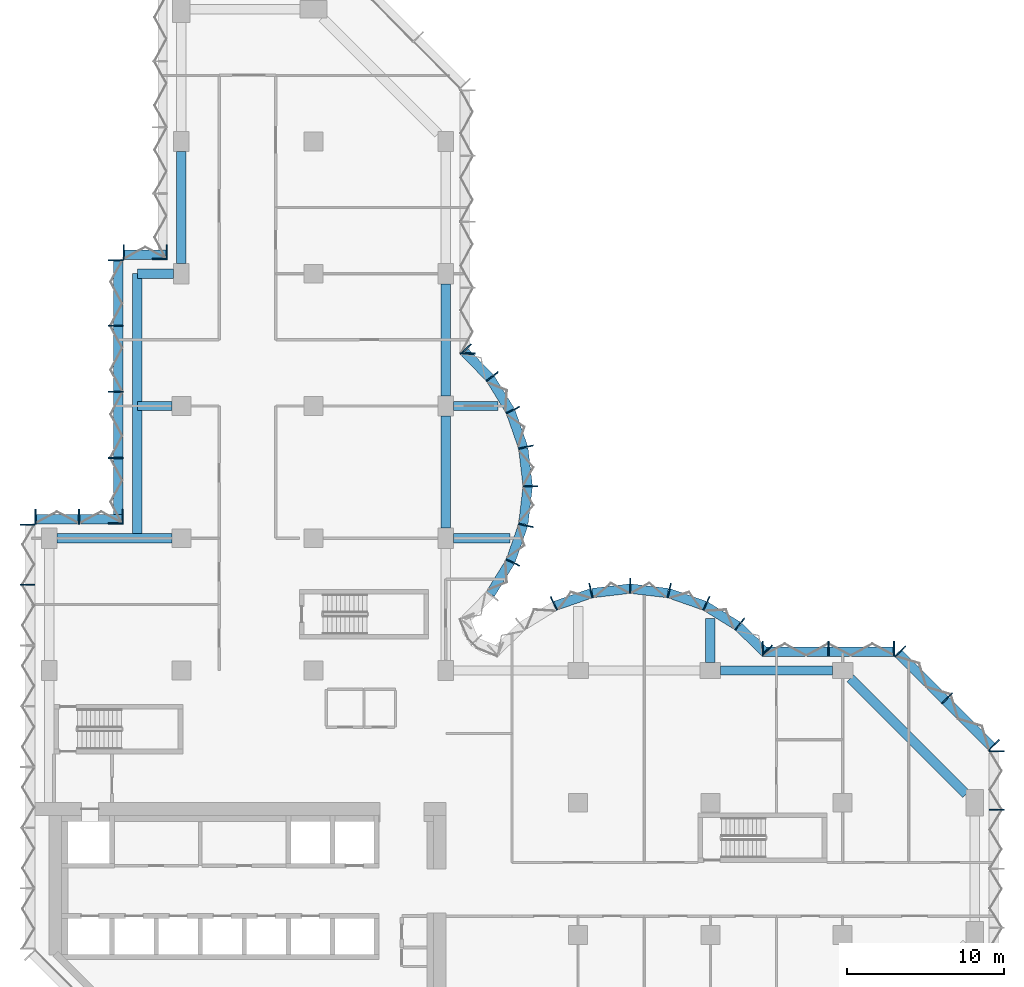
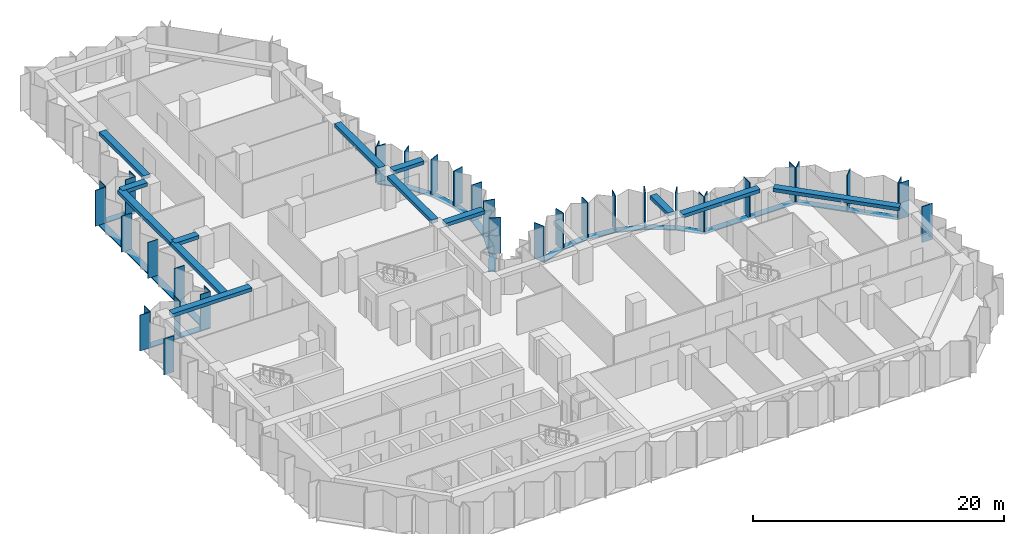
# One storey, part 2 of 11: 54 members, 13 beams, 11 elements without a shape of their own.
"""IFC4 building model written with IfcOpenShell, lengths in metres."""

from ifc_helpers import new_model, si_unit, direction, frame, origin, origin_2d, place, context, subcontext, project, spatial, rectangle, extrude, material, material_profile, profile_set, type_object, element, aggregate, save


model = new_model("IFC4")

# Units and contexts
model_context = context("Model", 3, precision=1e-05, world=origin(), true_north=direction((0.0, 1.0)))
body_context = subcontext(model_context, "Body", "Model", "MODEL_VIEW")
ifc_project = project(units=[si_unit("LENGTHUNIT", "METRE"), si_unit("AREAUNIT", "SQUARE_METRE"), si_unit("VOLUMEUNIT", "CUBIC_METRE"), si_unit("PLANEANGLEUNIT", "RADIAN"), si_unit("MASSUNIT", "GRAM", prefix="KILO")], contexts=[model_context])

# Site, building, storey
site_placement = place(None, origin())
site = spatial("IfcSite", under=ifc_project, at=site_placement, CompositionType="ELEMENT")
building_placement = place(site_placement, origin())
building = spatial("IfcBuilding", under=site, at=building_placement, Name="Brevane Broadcast Tower", CompositionType="ELEMENT")
storey_placement = place(building_placement, frame((0.0, 0.0, 149.300048828125)))
storey = spatial("IfcBuildingStorey", under=building, at=storey_placement, Name="L37", CompositionType="ELEMENT", Elevation=149.300048828125)

# Curtain wall, members
ifc_material_1 = material(Name="Aluminium 6063-T6 bronze anodised", Category="aluminium")
curtain_wall_type = type_object("IfcCurtainWallType", Name="CW-1 curtain wall", PredefinedType="NOTDEFINED", material=ifc_material_1)
curtain_wall_1_placement = place(storey_placement, origin())
curtain_wall_1 = element("IfcCurtainWall", 1, at=curtain_wall_1_placement, inside=storey, type_object=curtain_wall_type, Name="CW-1 typical tilted unit L37 east end", PredefinedType="NOTDEFINED")
ifc_material_profile_1 = material_profile(ifc_material_1, rectangle(XDim=0.949951171875, YDim=0.070068359375, at=origin_2d()), Name="RECT 70x950")
ifc_profile_set_1 = profile_set([ifc_material_profile_1], Name="Aluminium 6063-T6 bronze anodised")
member_type_1 = type_object("IfcMemberType", Name="CW-1 mullion 70x950", PredefinedType="MULLION", material=ifc_profile_set_1)
member_1_placement = place(storey_placement, frame((60.175048828125, 16.35009765625, -0.150146484375), z_axis=(0.0, 0.0, 1.0), x_axis=(-1.0, 0.0, 0.0)))
member_1 = element("IfcMember", 2, at=member_1_placement, type_object=member_type_1, Name="CW-1 mullion", PredefinedType="MULLION", context=body_context, shape_type="SweptSolid", body=[
    extrude(rectangle(XDim=0.949951171875, YDim=0.070068359375, at=origin_2d()), origin(), (0.0, 0.0, 1.0), 3.5),
])
member_2_placement = place(storey_placement, frame((60.175048828125, 20.06494140625, -0.150146484375), z_axis=(0.0, 0.0, 1.0), x_axis=(-1.0, 0.0, 0.0)))
member_2 = element("IfcMember", 3, at=member_2_placement, type_object=member_type_1, Name="CW-1 mullion", PredefinedType="MULLION", context=body_context, shape_type="SweptSolid", body=[
    extrude(rectangle(XDim=0.949951171875, YDim=0.070068359375, at=origin_2d()), origin(), (0.0, 0.0, 1.0), 3.5),
])
aggregate(curtain_wall_1, [member_1, member_2])

curtain_wall_2_placement = place(storey_placement, origin())
curtain_wall_2 = element("IfcCurtainWall", 4, at=curtain_wall_2_placement, inside=storey, type_object=curtain_wall_type, Name="CW-1 typical tilted unit L37 north-east chamfer", PredefinedType="NOTDEFINED")
member_3_placement = place(storey_placement, frame((60.01123046875, 20.460693359375, -0.150146484375), z_axis=(0.0, 0.0, 1.0), x_axis=(-0.707106781187, -0.707106781187, 0.0)))
member_3 = element("IfcMember", 5, at=member_3_placement, type_object=member_type_1, Name="CW-1 mullion", PredefinedType="MULLION", context=body_context, shape_type="SweptSolid", body=[
    extrude(rectangle(XDim=0.949951171875, YDim=0.070068359375, at=origin_2d()), origin(), (0.0, 0.0, 1.0), 3.5),
])
member_4_placement = place(storey_placement, frame((57.035888671875, 23.435791015625, -0.150146484375), z_axis=(0.0, 0.0, 1.0), x_axis=(-0.707106781187, -0.707106781187, 0.0)))
member_4 = element("IfcMember", 6, at=member_4_placement, type_object=member_type_1, Name="CW-1 mullion", PredefinedType="MULLION", context=body_context, shape_type="SweptSolid", body=[
    extrude(rectangle(XDim=0.949951171875, YDim=0.070068359375, at=origin_2d()), origin(), (0.0, 0.0, 1.0), 3.5),
])
member_5_placement = place(storey_placement, frame((54.060546875, 26.4111328125, -0.150146484375), z_axis=(0.0, 0.0, 1.0), x_axis=(-0.707106781187, -0.707106781187, 0.0)))
member_5 = element("IfcMember", 7, at=member_5_placement, type_object=member_type_1, Name="CW-1 mullion", PredefinedType="MULLION", context=body_context, shape_type="SweptSolid", body=[
    extrude(rectangle(XDim=0.949951171875, YDim=0.070068359375, at=origin_2d()), origin(), (0.0, 0.0, 1.0), 3.5),
])

curtain_wall_3_placement = place(storey_placement, origin())
curtain_wall_3 = element("IfcCurtainWall", 8, at=curtain_wall_3_placement, inside=storey, type_object=curtain_wall_type, Name="CW-1 typical tilted unit L37 east arm north face", PredefinedType="NOTDEFINED")
member_6_placement = place(storey_placement, frame((53.6650390625, 26.574951171875, -0.150146484375), z_axis=(0.0, 0.0, 1.0), x_axis=(0.0, -1.0, 0.0)))
member_6 = element("IfcMember", 9, at=member_6_placement, type_object=member_type_1, Name="CW-1 mullion", PredefinedType="MULLION", context=body_context, shape_type="SweptSolid", body=[
    extrude(rectangle(XDim=0.949951171875, YDim=0.070068359375, at=origin_2d()), origin(), (0.0, 0.0, 1.0), 3.5),
])
member_7_placement = place(storey_placement, frame((49.5, 26.574951171875, -0.150146484375), z_axis=(0.0, 0.0, 1.0), x_axis=(0.0, -1.0, 0.0)))
member_7 = element("IfcMember", 10, at=member_7_placement, type_object=member_type_1, Name="CW-1 mullion", PredefinedType="MULLION", context=body_context, shape_type="SweptSolid", body=[
    extrude(rectangle(XDim=0.949951171875, YDim=0.070068359375, at=origin_2d()), origin(), (0.0, 0.0, 1.0), 3.5),
])
member_8_placement = place(storey_placement, frame((45.3349609375, 26.574951171875, -0.150146484375), z_axis=(0.0, 0.0, 1.0), x_axis=(0.0, -1.0, 0.0)))
member_8 = element("IfcMember", 11, at=member_8_placement, type_object=member_type_1, Name="CW-1 mullion", PredefinedType="MULLION", context=body_context, shape_type="SweptSolid", body=[
    extrude(rectangle(XDim=0.949951171875, YDim=0.070068359375, at=origin_2d()), origin(), (0.0, 0.0, 1.0), 3.5),
])

curtain_wall_4_placement = place(storey_placement, origin())
curtain_wall_4 = element("IfcCurtainWall", 12, at=curtain_wall_4_placement, inside=storey, type_object=curtain_wall_type, Name="CW-1 typical tilted unit L37 east bow", PredefinedType="NOTDEFINED")
member_9_placement = place(storey_placement, frame((45.60595703125, 26.465087890625, -0.150146484375), z_axis=(0.0, 0.0, 1.0), x_axis=(-0.696811941702, -0.717253872699, 0.0)))
member_9 = element("IfcMember", 13, at=member_9_placement, type_object=member_type_1, Name="CW-1 mullion", PredefinedType="MULLION", context=body_context, shape_type="SweptSolid", body=[
    extrude(rectangle(XDim=0.949951171875, YDim=0.070068359375, at=origin_2d()), origin(), (0.0, 0.0, 1.0), 3.5),
])
member_10_placement = place(storey_placement, frame((43.8720703125, 28.1455078125, -0.150146484375), z_axis=(0.0, 0.0, 1.0), x_axis=(-0.614769738617, -0.788706642853, 0.0)))
member_10 = element("IfcMember", 14, at=member_10_placement, type_object=member_type_1, Name="CW-1 mullion", PredefinedType="MULLION", context=body_context, shape_type="SweptSolid", body=[
    extrude(rectangle(XDim=0.949951171875, YDim=0.070068359375, at=origin_2d()), origin(), (0.0, 0.0, 1.0), 3.5),
])
member_11_placement = place(storey_placement, frame((41.746826171875, 29.4580078125, -0.150146484375), z_axis=(0.0, 0.0, 1.0), x_axis=(-0.429933601163, -0.902860508933, 0.0)))
member_11 = element("IfcMember", 15, at=member_11_placement, type_object=member_type_1, Name="CW-1 mullion", PredefinedType="MULLION", context=body_context, shape_type="SweptSolid", body=[
    extrude(rectangle(XDim=0.949951171875, YDim=0.070068359375, at=origin_2d()), origin(), (0.0, 0.0, 1.0), 3.5),
])
member_12_placement = place(storey_placement, frame((39.38818359375, 30.28076171875, -0.150146484375), z_axis=(0.0, 0.0, 1.0), x_axis=(-0.224806482215, -0.974403430594, 0.0)))
member_12 = element("IfcMember", 16, at=member_12_placement, type_object=member_type_1, Name="CW-1 mullion", PredefinedType="MULLION", context=body_context, shape_type="SweptSolid", body=[
    extrude(rectangle(XDim=0.949951171875, YDim=0.070068359375, at=origin_2d()), origin(), (0.0, 0.0, 1.0), 3.5),
])
member_13_placement = place(storey_placement, frame((36.89990234375, 30.574951171875, -0.150146484375), z_axis=(0.0, 0.0, 1.0), x_axis=(0.0, -1.0, 0.0)))
member_13 = element("IfcMember", 17, at=member_13_placement, type_object=member_type_1, Name="CW-1 mullion", PredefinedType="MULLION", context=body_context, shape_type="SweptSolid", body=[
    extrude(rectangle(XDim=0.949951171875, YDim=0.070068359375, at=origin_2d()), origin(), (0.0, 0.0, 1.0), 3.5),
])
member_14_placement = place(storey_placement, frame((34.411865234375, 30.28076171875, -0.150146484375), z_axis=(0.0, 0.0, 1.0), x_axis=(0.224806482215, -0.974403430594, 0.0)))
member_14 = element("IfcMember", 18, at=member_14_placement, type_object=member_type_1, Name="CW-1 mullion", PredefinedType="MULLION", context=body_context, shape_type="SweptSolid", body=[
    extrude(rectangle(XDim=0.949951171875, YDim=0.070068359375, at=origin_2d()), origin(), (0.0, 0.0, 1.0), 3.5),
])
member_15_placement = place(storey_placement, frame((32.05322265625, 29.4580078125, -0.150146484375), z_axis=(0.0, 0.0, 1.0), x_axis=(0.429933601163, -0.902860508933, 0.0)))
member_15 = element("IfcMember", 19, at=member_15_placement, type_object=member_type_1, Name="CW-1 mullion", PredefinedType="MULLION", context=body_context, shape_type="SweptSolid", body=[
    extrude(rectangle(XDim=0.949951171875, YDim=0.070068359375, at=origin_2d()), origin(), (0.0, 0.0, 1.0), 3.5),
])

curtain_wall_5_placement = place(storey_placement, origin())
curtain_wall_5 = element("IfcCurtainWall", 20, at=curtain_wall_5_placement, inside=storey, type_object=curtain_wall_type, Name="CW-1 typical tilted unit L37 north bow", PredefinedType="NOTDEFINED")
member_16_placement = place(storey_placement, frame((29.4580078125, 32.05322265625, -0.150146484375), z_axis=(0.0, 0.0, 1.0), x_axis=(-0.902860508933, 0.429933601163, 0.0)))
member_16 = element("IfcMember", 21, at=member_16_placement, type_object=member_type_1, Name="CW-1 mullion", PredefinedType="MULLION", context=body_context, shape_type="SweptSolid", body=[
    extrude(rectangle(XDim=0.949951171875, YDim=0.070068359375, at=origin_2d()), origin(), (0.0, 0.0, 1.0), 3.5),
])
member_17_placement = place(storey_placement, frame((30.28076171875, 34.411865234375, -0.150146484375), z_axis=(0.0, 0.0, 1.0), x_axis=(-0.974403430594, 0.224806482215, 0.0)))
member_17 = element("IfcMember", 22, at=member_17_placement, type_object=member_type_1, Name="CW-1 mullion", PredefinedType="MULLION", context=body_context, shape_type="SweptSolid", body=[
    extrude(rectangle(XDim=0.949951171875, YDim=0.070068359375, at=origin_2d()), origin(), (0.0, 0.0, 1.0), 3.5),
])
member_18_placement = place(storey_placement, frame((30.574951171875, 36.89990234375, -0.150146484375), z_axis=(0.0, 0.0, 1.0), x_axis=(-1.0, 0.0, 0.0)))
member_18 = element("IfcMember", 23, at=member_18_placement, type_object=member_type_1, Name="CW-1 mullion", PredefinedType="MULLION", context=body_context, shape_type="SweptSolid", body=[
    extrude(rectangle(XDim=0.949951171875, YDim=0.070068359375, at=origin_2d()), origin(), (0.0, 0.0, 1.0), 3.5),
])
member_19_placement = place(storey_placement, frame((30.28076171875, 39.38818359375, -0.150146484375), z_axis=(0.0, 0.0, 1.0), x_axis=(-0.974403430594, -0.224806482215, 0.0)))
member_19 = element("IfcMember", 24, at=member_19_placement, type_object=member_type_1, Name="CW-1 mullion", PredefinedType="MULLION", context=body_context, shape_type="SweptSolid", body=[
    extrude(rectangle(XDim=0.949951171875, YDim=0.070068359375, at=origin_2d()), origin(), (0.0, 0.0, 1.0), 3.5),
])
member_20_placement = place(storey_placement, frame((29.4580078125, 41.746826171875, -0.150146484375), z_axis=(0.0, 0.0, 1.0), x_axis=(-0.902860508933, -0.429933601163, 0.0)))
member_20 = element("IfcMember", 25, at=member_20_placement, type_object=member_type_1, Name="CW-1 mullion", PredefinedType="MULLION", context=body_context, shape_type="SweptSolid", body=[
    extrude(rectangle(XDim=0.949951171875, YDim=0.070068359375, at=origin_2d()), origin(), (0.0, 0.0, 1.0), 3.5),
])
member_21_placement = place(storey_placement, frame((28.1455078125, 43.8720703125, -0.150146484375), z_axis=(0.0, 0.0, 1.0), x_axis=(-0.788706642853, -0.614769738617, 0.0)))
member_21 = element("IfcMember", 26, at=member_21_placement, type_object=member_type_1, Name="CW-1 mullion", PredefinedType="MULLION", context=body_context, shape_type="SweptSolid", body=[
    extrude(rectangle(XDim=0.949951171875, YDim=0.070068359375, at=origin_2d()), origin(), (0.0, 0.0, 1.0), 3.5),
])
member_22_placement = place(storey_placement, frame((26.465087890625, 45.60595703125, -0.150146484375), z_axis=(0.0, 0.0, 1.0), x_axis=(-0.717253872699, -0.696811941702, 0.0)))
member_22 = element("IfcMember", 27, at=member_22_placement, type_object=member_type_1, Name="CW-1 mullion", PredefinedType="MULLION", context=body_context, shape_type="SweptSolid", body=[
    extrude(rectangle(XDim=0.949951171875, YDim=0.070068359375, at=origin_2d()), origin(), (0.0, 0.0, 1.0), 3.5),
])

# Curtain wall, member
curtain_wall_6_placement = place(storey_placement, origin())
curtain_wall_6 = element("IfcCurtainWall", 28, at=curtain_wall_6_placement, inside=storey, type_object=curtain_wall_type, Name="CW-1 typical tilted unit L37 north arm east face", PredefinedType="NOTDEFINED")
member_23_placement = place(storey_placement, frame((26.574951171875, 45.3349609375, -0.150146484375), z_axis=(0.0, 0.0, 1.0), x_axis=(-1.0, 0.0, 0.0)))
member_23 = element("IfcMember", 29, at=member_23_placement, type_object=member_type_1, Name="CW-1 mullion", PredefinedType="MULLION", context=body_context, shape_type="SweptSolid", body=[
    extrude(rectangle(XDim=0.949951171875, YDim=0.070068359375, at=origin_2d()), origin(), (0.0, 0.0, 1.0), 3.5),
])
aggregate(curtain_wall_6, [member_23])

curtain_wall_7_placement = place(storey_placement, origin())
curtain_wall_7 = element("IfcCurtainWall", 30, at=curtain_wall_7_placement, inside=storey, type_object=curtain_wall_type, Name="CW-1 typical tilted unit L37 north wing west face above the set-back", PredefinedType="NOTDEFINED")
member_24_placement = place(storey_placement, frame((7.02490234375, 51.3349609375, -0.150146484375), z_axis=(0.0, 0.0, 1.0), x_axis=(1.0, 0.0, 0.0)))
member_24 = element("IfcMember", 31, at=member_24_placement, type_object=member_type_1, Name="CW-1 mullion", PredefinedType="MULLION", context=body_context, shape_type="SweptSolid", body=[
    extrude(rectangle(XDim=0.949951171875, YDim=0.070068359375, at=origin_2d()), origin(), (0.0, 0.0, 1.0), 3.5),
])
aggregate(curtain_wall_7, [member_24])

# Curtain wall, members
curtain_wall_8_placement = place(storey_placement, origin())
curtain_wall_8 = element("IfcCurtainWall", 32, at=curtain_wall_8_placement, inside=storey, type_object=curtain_wall_type, Name="CW-1 typical tilted unit L37 north wing west return", PredefinedType="NOTDEFINED")
member_25_placement = place(storey_placement, frame((7.465087890625, 51.77490234375, -0.150146484375), z_axis=(0.0, 0.0, 1.0), x_axis=(0.0, -1.0, 0.0)))
member_25 = element("IfcMember", 33, at=member_25_placement, type_object=member_type_1, Name="CW-1 mullion", PredefinedType="MULLION", context=body_context, shape_type="SweptSolid", body=[
    extrude(rectangle(XDim=0.949951171875, YDim=0.070068359375, at=origin_2d()), origin(), (0.0, 0.0, 1.0), 3.5),
])
member_26_placement = place(storey_placement, frame((4.735107421875, 51.77490234375, -0.150146484375), z_axis=(0.0, 0.0, 1.0), x_axis=(0.0, -1.0, 0.0)))
member_26 = element("IfcMember", 34, at=member_26_placement, type_object=member_type_1, Name="CW-1 mullion", PredefinedType="MULLION", context=body_context, shape_type="SweptSolid", body=[
    extrude(rectangle(XDim=0.949951171875, YDim=0.070068359375, at=origin_2d()), origin(), (0.0, 0.0, 1.0), 3.5),
])

curtain_wall_9_placement = place(storey_placement, origin())
curtain_wall_9 = element("IfcCurtainWall", 35, at=curtain_wall_9_placement, inside=storey, type_object=curtain_wall_type, Name="CW-1 typical tilted unit L37 north wing west face, lower block", PredefinedType="NOTDEFINED")
member_27_placement = place(storey_placement, frame((4.22509765625, 51.264892578125, -0.150146484375), z_axis=(0.0, 0.0, 1.0), x_axis=(1.0, 0.0, 0.0)))
member_27 = element("IfcMember", 36, at=member_27_placement, type_object=member_type_1, Name="CW-1 mullion", PredefinedType="MULLION", context=body_context, shape_type="SweptSolid", body=[
    extrude(rectangle(XDim=0.949951171875, YDim=0.070068359375, at=origin_2d()), origin(), (0.0, 0.0, 1.0), 3.5),
])
member_28_placement = place(storey_placement, frame((4.22509765625, 47.10009765625, -0.150146484375), z_axis=(0.0, 0.0, 1.0), x_axis=(1.0, 0.0, 0.0)))
member_28 = element("IfcMember", 37, at=member_28_placement, type_object=member_type_1, Name="CW-1 mullion", PredefinedType="MULLION", context=body_context, shape_type="SweptSolid", body=[
    extrude(rectangle(XDim=0.949951171875, YDim=0.070068359375, at=origin_2d()), origin(), (0.0, 0.0, 1.0), 3.5),
])
member_29_placement = place(storey_placement, frame((4.22509765625, 42.89990234375, -0.150146484375), z_axis=(0.0, 0.0, 1.0), x_axis=(1.0, 0.0, 0.0)))
member_29 = element("IfcMember", 38, at=member_29_placement, type_object=member_type_1, Name="CW-1 mullion", PredefinedType="MULLION", context=body_context, shape_type="SweptSolid", body=[
    extrude(rectangle(XDim=0.949951171875, YDim=0.070068359375, at=origin_2d()), origin(), (0.0, 0.0, 1.0), 3.5),
])
member_30_placement = place(storey_placement, frame((4.22509765625, 38.699951171875, -0.150146484375), z_axis=(0.0, 0.0, 1.0), x_axis=(1.0, 0.0, 0.0)))
member_30 = element("IfcMember", 39, at=member_30_placement, type_object=member_type_1, Name="CW-1 mullion", PredefinedType="MULLION", context=body_context, shape_type="SweptSolid", body=[
    extrude(rectangle(XDim=0.949951171875, YDim=0.070068359375, at=origin_2d()), origin(), (0.0, 0.0, 1.0), 3.5),
])
member_31_placement = place(storey_placement, frame((4.22509765625, 34.534912109375, -0.150146484375), z_axis=(0.0, 0.0, 1.0), x_axis=(1.0, 0.0, 0.0)))
member_31 = element("IfcMember", 40, at=member_31_placement, type_object=member_type_1, Name="CW-1 mullion", PredefinedType="MULLION", context=body_context, shape_type="SweptSolid", body=[
    extrude(rectangle(XDim=0.949951171875, YDim=0.070068359375, at=origin_2d()), origin(), (0.0, 0.0, 1.0), 3.5),
])

curtain_wall_10_placement = place(storey_placement, origin())
curtain_wall_10 = element("IfcCurtainWall", 41, at=curtain_wall_10_placement, inside=storey, type_object=curtain_wall_type, Name="CW-1 typical tilted unit L37 north wing west return, lower block", PredefinedType="NOTDEFINED")
member_32_placement = place(storey_placement, frame((4.6650390625, 34.97509765625, -0.150146484375), z_axis=(0.0, 0.0, 1.0), x_axis=(0.0, -1.0, 0.0)))
member_32 = element("IfcMember", 42, at=member_32_placement, type_object=member_type_1, Name="CW-1 mullion", PredefinedType="MULLION", context=body_context, shape_type="SweptSolid", body=[
    extrude(rectangle(XDim=0.949951171875, YDim=0.070068359375, at=origin_2d()), origin(), (0.0, 0.0, 1.0), 3.5),
])
member_33_placement = place(storey_placement, frame((1.89990234375, 34.97509765625, -0.150146484375), z_axis=(0.0, 0.0, 1.0), x_axis=(0.0, -1.0, 0.0)))
member_33 = element("IfcMember", 43, at=member_33_placement, type_object=member_type_1, Name="CW-1 mullion", PredefinedType="MULLION", context=body_context, shape_type="SweptSolid", body=[
    extrude(rectangle(XDim=0.949951171875, YDim=0.070068359375, at=origin_2d()), origin(), (0.0, 0.0, 1.0), 3.5),
])
member_34_placement = place(storey_placement, frame((-0.864990234375, 34.97509765625, -0.150146484375), z_axis=(0.0, 0.0, 1.0), x_axis=(0.0, -1.0, 0.0)))
member_34 = element("IfcMember", 44, at=member_34_placement, type_object=member_type_1, Name="CW-1 mullion", PredefinedType="MULLION", context=body_context, shape_type="SweptSolid", body=[
    extrude(rectangle(XDim=0.949951171875, YDim=0.070068359375, at=origin_2d()), origin(), (0.0, 0.0, 1.0), 3.5),
])

curtain_wall_11_placement = place(storey_placement, origin())
curtain_wall_11 = element("IfcCurtainWall", 45, at=curtain_wall_11_placement, inside=storey, type_object=curtain_wall_type, Name="CW-1 typical tilted unit L37 west face", PredefinedType="NOTDEFINED")
member_35_placement = place(storey_placement, frame((-1.375, 34.465087890625, -0.150146484375), z_axis=(0.0, 0.0, 1.0), x_axis=(1.0, 0.0, 0.0)))
member_35 = element("IfcMember", 46, at=member_35_placement, type_object=member_type_1, Name="CW-1 mullion", PredefinedType="MULLION", context=body_context, shape_type="SweptSolid", body=[
    extrude(rectangle(XDim=0.949951171875, YDim=0.070068359375, at=origin_2d()), origin(), (0.0, 0.0, 1.0), 3.5),
])
member_36_placement = place(storey_placement, frame((-1.375, 30.642822265625, -0.150146484375), z_axis=(0.0, 0.0, 1.0), x_axis=(1.0, 0.0, 0.0)))
member_36 = element("IfcMember", 47, at=member_36_placement, type_object=member_type_1, Name="CW-1 mullion", PredefinedType="MULLION", context=body_context, shape_type="SweptSolid", body=[
    extrude(rectangle(XDim=0.949951171875, YDim=0.070068359375, at=origin_2d()), origin(), (0.0, 0.0, 1.0), 3.5),
])
aggregate(curtain_wall_11, [member_35, member_36])

# Member
ifc_material_profile_2 = material_profile(ifc_material_1, rectangle(XDim=0.60009765625, YDim=0.10009765625, at=origin_2d()), Name="RECT 100x600")
ifc_profile_set_2 = profile_set([ifc_material_profile_2], Name="Aluminium 6063-T6 bronze anodised")
member_type_2 = type_object("IfcMemberType", Name="CW-1 transom 100x600", PredefinedType="USERDEFINED", material=ifc_profile_set_2)
member_37_placement = place(storey_placement, frame((59.912109375, 20.31201171875, -0.199951171875), z_axis=(-0.707106781187, 0.707106781187, 0.0), x_axis=(-0.707106781187, -0.707106781187, 0.0)))
member_37 = element("IfcMember", 48, at=member_37_placement, type_object=member_type_2, Name="CW-1 transom", ObjectType="TRANSOM", PredefinedType="USERDEFINED", context=body_context, shape_type="SweptSolid", body=[
    extrude(rectangle(XDim=0.60009765625, YDim=0.10009765625, at=origin_2d()), origin(), (0.0, 0.0, 1.0), 8.4853515625),
])

aggregate(curtain_wall_2, [member_3, member_4, member_5, member_37])

member_38_placement = place(storey_placement, frame((53.699951171875, 26.39990234375, -0.199951171875), z_axis=(-1.0, 0.0, 0.0), x_axis=(0.0, -1.0, 0.0)))
member_38 = element("IfcMember", 49, at=member_38_placement, type_object=member_type_2, Name="CW-1 transom", ObjectType="TRANSOM", PredefinedType="USERDEFINED", context=body_context, shape_type="SweptSolid", body=[
    extrude(rectangle(XDim=0.60009765625, YDim=0.10009765625, at=origin_2d()), origin(), (0.0, 0.0, 1.0), 8.39990234375),
])

aggregate(curtain_wall_3, [member_6, member_7, member_8, member_38])

member_39_placement = place(storey_placement, frame((45.412841796875, 26.407958984375, -0.199951171875), z_axis=(-0.71724215871, 0.696823999134, 0.0), x_axis=(-0.696823999134, -0.71724215871, 0.0)))
member_39 = element("IfcMember", 50, at=member_39_placement, type_object=member_type_2, Name="CW-1 transom", ObjectType="TRANSOM", PredefinedType="USERDEFINED", context=body_context, shape_type="SweptSolid", body=[
    extrude(rectangle(XDim=0.60009765625, YDim=0.10009765625, at=origin_2d()), origin(), (0.0, 0.0, 1.0), 2.247802734375),
])

member_40_placement = place(storey_placement, frame((43.7421875, 28.023193359375, -0.199951171875), z_axis=(-0.850810063131, 0.525473345162, 0.0), x_axis=(-0.525473345162, -0.850810063131, 0.0)))
member_40 = element("IfcMember", 51, at=member_40_placement, type_object=member_type_2, Name="CW-1 transom", ObjectType="TRANSOM", PredefinedType="USERDEFINED", context=body_context, shape_type="SweptSolid", body=[
    extrude(rectangle(XDim=0.60009765625, YDim=0.10009765625, at=origin_2d()), origin(), (0.0, 0.0, 1.0), 2.39453125),
])

member_41_placement = place(storey_placement, frame((41.63623046875, 29.314208984375, -0.199951171875), z_axis=(-0.944197969542, 0.329378497041, 0.0), x_axis=(-0.329378497041, -0.944197969542, 0.0)))
member_41 = element("IfcMember", 52, at=member_41_placement, type_object=member_type_2, Name="CW-1 transom", ObjectType="TRANSOM", PredefinedType="USERDEFINED", context=body_context, shape_type="SweptSolid", body=[
    extrude(rectangle(XDim=0.60009765625, YDim=0.10009765625, at=origin_2d()), origin(), (0.0, 0.0, 1.0), 2.394775390625),
])

member_42_placement = place(storey_placement, frame((39.30029296875, 30.117431640625, -0.199951171875), z_axis=(-0.993062061831, 0.117591417, 0.0), x_axis=(-0.117591417, -0.993062061831, 0.0)))
member_42 = element("IfcMember", 53, at=member_42_placement, type_object=member_type_2, Name="CW-1 transom", ObjectType="TRANSOM", PredefinedType="USERDEFINED", context=body_context, shape_type="SweptSolid", body=[
    extrude(rectangle(XDim=0.60009765625, YDim=0.10009765625, at=origin_2d()), origin(), (0.0, 0.0, 1.0), 2.39794921875),
])

member_43_placement = place(storey_placement, frame((36.880859375, 30.3994140625, -0.199951171875), z_axis=(-0.993060653805, -0.117603307202, 0.0), x_axis=(0.117603307202, -0.993060653805, 0.0)))
member_43 = element("IfcMember", 54, at=member_43_placement, type_object=member_type_2, Name="CW-1 transom", ObjectType="TRANSOM", PredefinedType="USERDEFINED", context=body_context, shape_type="SweptSolid", body=[
    extrude(rectangle(XDim=0.60009765625, YDim=0.10009765625, at=origin_2d()), origin(), (0.0, 0.0, 1.0), 2.397705078125),
])

member_44_placement = place(storey_placement, frame((34.425048828125, 30.10302734375, -0.199951171875), z_axis=(-0.944197969542, -0.329378497041, 0.0), x_axis=(0.329378497041, -0.944197969542, 0.0)))
member_44 = element("IfcMember", 55, at=member_44_placement, type_object=member_type_2, Name="CW-1 transom", ObjectType="TRANSOM", PredefinedType="USERDEFINED", context=body_context, shape_type="SweptSolid", body=[
    extrude(rectangle(XDim=0.60009765625, YDim=0.10009765625, at=origin_2d()), origin(), (0.0, 0.0, 1.0), 2.394775390625),
])

aggregate(curtain_wall_4, [member_9, member_10, member_11, member_12, member_13, member_14, member_15, member_39, member_40, member_41, member_42, member_43, member_44])

member_45_placement = place(storey_placement, frame((28.023193359375, 30.0576171875, -0.199951171875), z_axis=(0.525427766759, 0.850838211365, 0.0), x_axis=(-0.850838211365, 0.525427766759, 0.0)))
member_45 = element("IfcMember", 56, at=member_45_placement, type_object=member_type_2, Name="CW-1 transom", ObjectType="TRANSOM", PredefinedType="USERDEFINED", context=body_context, shape_type="SweptSolid", body=[
    extrude(rectangle(XDim=0.60009765625, YDim=0.10009765625, at=origin_2d()), origin(), (0.0, 0.0, 1.0), 2.394775390625),
])

member_46_placement = place(storey_placement, frame((29.314208984375, 32.163818359375, -0.199951171875), z_axis=(0.329378497041, 0.944197969542, 0.0), x_axis=(-0.944197969542, 0.329378497041, 0.0)))
member_46 = element("IfcMember", 57, at=member_46_placement, type_object=member_type_2, Name="CW-1 transom", ObjectType="TRANSOM", PredefinedType="USERDEFINED", context=body_context, shape_type="SweptSolid", body=[
    extrude(rectangle(XDim=0.60009765625, YDim=0.10009765625, at=origin_2d()), origin(), (0.0, 0.0, 1.0), 2.394775390625),
])

member_47_placement = place(storey_placement, frame((30.117431640625, 34.499755859375, -0.199951171875), z_axis=(0.117603307202, 0.993060653805, 0.0), x_axis=(-0.993060653805, 0.117603307202, 0.0)))
member_47 = element("IfcMember", 58, at=member_47_placement, type_object=member_type_2, Name="CW-1 transom", ObjectType="TRANSOM", PredefinedType="USERDEFINED", context=body_context, shape_type="SweptSolid", body=[
    extrude(rectangle(XDim=0.60009765625, YDim=0.10009765625, at=origin_2d()), origin(), (0.0, 0.0, 1.0), 2.397705078125),
])

member_48_placement = place(storey_placement, frame((30.3994140625, 36.9189453125, -0.199951171875), z_axis=(-0.117591417, 0.993062061831, 0.0), x_axis=(-0.993062061831, -0.117591417, 0.0)))
member_48 = element("IfcMember", 59, at=member_48_placement, type_object=member_type_2, Name="CW-1 transom", ObjectType="TRANSOM", PredefinedType="USERDEFINED", context=body_context, shape_type="SweptSolid", body=[
    extrude(rectangle(XDim=0.60009765625, YDim=0.10009765625, at=origin_2d()), origin(), (0.0, 0.0, 1.0), 2.39794921875),
])

member_49_placement = place(storey_placement, frame((30.10302734375, 39.375, -0.199951171875), z_axis=(-0.329378497041, 0.944197969542, 0.0), x_axis=(-0.944197969542, -0.329378497041, 0.0)))
member_49 = element("IfcMember", 60, at=member_49_placement, type_object=member_type_2, Name="CW-1 transom", ObjectType="TRANSOM", PredefinedType="USERDEFINED", context=body_context, shape_type="SweptSolid", body=[
    extrude(rectangle(XDim=0.60009765625, YDim=0.10009765625, at=origin_2d()), origin(), (0.0, 0.0, 1.0), 2.394775390625),
])

member_50_placement = place(storey_placement, frame((29.281494140625, 41.704833984375, -0.199951171875), z_axis=(-0.525473345162, 0.850810063131, 0.0), x_axis=(-0.850810063131, -0.525473345162, 0.0)))
member_50 = element("IfcMember", 61, at=member_50_placement, type_object=member_type_2, Name="CW-1 transom", ObjectType="TRANSOM", PredefinedType="USERDEFINED", context=body_context, shape_type="SweptSolid", body=[
    extrude(rectangle(XDim=0.60009765625, YDim=0.10009765625, at=origin_2d()), origin(), (0.0, 0.0, 1.0), 2.39453125),
])

member_51_placement = place(storey_placement, frame((27.974365234375, 43.800537109375, -0.199951171875), z_axis=(-0.696823999134, 0.71724215871, 0.0), x_axis=(-0.71724215871, -0.696823999134, 0.0)))
member_51 = element("IfcMember", 62, at=member_51_placement, type_object=member_type_2, Name="CW-1 transom", ObjectType="TRANSOM", PredefinedType="USERDEFINED", context=body_context, shape_type="SweptSolid", body=[
    extrude(rectangle(XDim=0.60009765625, YDim=0.10009765625, at=origin_2d()), origin(), (0.0, 0.0, 1.0), 2.247802734375),
])

aggregate(curtain_wall_5, [member_16, member_17, member_18, member_19, member_20, member_21, member_22, member_45, member_46, member_47, member_48, member_49, member_50, member_51])

member_52_placement = place(storey_placement, frame((7.5, 51.60009765625, -0.199951171875), z_axis=(-1.0, 0.0, 0.0), x_axis=(0.0, -1.0, 0.0)))
member_52 = element("IfcMember", 63, at=member_52_placement, type_object=member_type_2, Name="CW-1 transom", ObjectType="TRANSOM", PredefinedType="USERDEFINED", context=body_context, shape_type="SweptSolid", body=[
    extrude(rectangle(XDim=0.60009765625, YDim=0.10009765625, at=origin_2d()), origin(), (0.0, 0.0, 1.0), 2.800048828125),
])

aggregate(curtain_wall_8, [member_25, member_26, member_52])

member_53_placement = place(storey_placement, frame((4.39990234375, 51.300048828125, -0.199951171875), z_axis=(0.0, -1.0, 0.0), x_axis=(1.0, 0.0, 0.0)))
member_53 = element("IfcMember", 64, at=member_53_placement, type_object=member_type_2, Name="CW-1 transom", ObjectType="TRANSOM", PredefinedType="USERDEFINED", context=body_context, shape_type="SweptSolid", body=[
    extrude(rectangle(XDim=0.60009765625, YDim=0.10009765625, at=origin_2d()), origin(), (0.0, 0.0, 1.0), 16.800048828125),
])

aggregate(curtain_wall_9, [member_27, member_28, member_29, member_30, member_31, member_53])

member_54_placement = place(storey_placement, frame((4.699951171875, 34.800048828125, -0.199951171875), z_axis=(-1.0, 0.0, 0.0), x_axis=(0.0, -1.0, 0.0)))
member_54 = element("IfcMember", 65, at=member_54_placement, type_object=member_type_2, Name="CW-1 transom", ObjectType="TRANSOM", PredefinedType="USERDEFINED", context=body_context, shape_type="SweptSolid", body=[
    extrude(rectangle(XDim=0.60009765625, YDim=0.10009765625, at=origin_2d()), origin(), (0.0, 0.0, 1.0), 5.599853515625),
])

aggregate(curtain_wall_10, [member_32, member_33, member_34, member_54])

# Beams
ifc_material_2 = material(Name="Concrete C40/50", Category="concrete")
ifc_material_profile_3 = material_profile(ifc_material_2, rectangle(XDim=0.60009765625, YDim=0.35009765625, at=origin_2d()), Name="RC 600x350")
ifc_profile_set_3 = profile_set([ifc_material_profile_3], Name="Concrete C40/50")
beam_type_1 = type_object("IfcBeamType", Name="RC BRACKET BEAM 600x350 C40/50", PredefinedType="BEAM", material=ifc_profile_set_3)
beam_1_placement = place(storey_placement, frame((25.699951171875, 33.60009765625, 3.175048828125), z_axis=(1.0, 0.0, 0.0), x_axis=(0.0, 1.0, 0.0)))
element("IfcBeam", 66, at=beam_1_placement, inside=storey, type_object=beam_type_1, Name="EB2 L37-1", PredefinedType="BEAM", context=body_context, shape_type="SweptSolid", body=[
    extrude(rectangle(XDim=0.60009765625, YDim=0.35009765625, at=origin_2d()), origin(), (0.0, 0.0, 1.0), 3.56201171875),
])
for number, where, z_axis, x_axis, name in (
    (67, (25.699951171875, 42.0, 3.175048828125), (1.0, 0.0, 0.0), (0.0, 1.0, 0.0), "EB2 L37-2"),
    (68, (42.0, 25.699951171875, 3.175048828125), (0.0, 1.0, 0.0), (-1.0, 0.0, 0.0), "EB2 L37-4"),
):
    element("IfcBeam", number, at=place(storey_placement, frame(where, z_axis=z_axis, x_axis=x_axis)), inside=storey, type_object=beam_type_1, Name=name, PredefinedType="BEAM", context=body_context, shape_type="SweptSolid", body=[
        extrude(rectangle(XDim=0.60009765625, YDim=0.35009765625, at=origin_2d()), origin(), (0.0, 0.0, 1.0), 2.8115234375),
    ])
beam_2_placement = place(storey_placement, frame((7.800048828125, 42.0, 3.175048828125), z_axis=(-1.0, 0.0, 0.0), x_axis=(0.0, -1.0, 0.0)))
element("IfcBeam", 69, at=beam_2_placement, inside=storey, type_object=beam_type_1, Name="EB2 L37-5", PredefinedType="BEAM", context=body_context, shape_type="SweptSolid", body=[
    extrude(rectangle(XDim=0.60009765625, YDim=0.35009765625, at=origin_2d()), origin(), (0.0, 0.0, 1.0), 2.199951171875),
])
ifc_material_profile_4 = material_profile(ifc_material_2, rectangle(XDim=0.60009765625, YDim=0.35009765625, at=origin_2d()), Name="RC 600x350")
ifc_profile_set_4 = profile_set([ifc_material_profile_4], Name="Concrete C40/50")
beam_type_2 = type_object("IfcBeamType", Name="RC SPANDREL BEAM 600x350 C40/50", PredefinedType="SPANDREL", material=ifc_profile_set_4)
beam_3_placement = place(storey_placement, frame((58.25, 17.35009765625, 3.175048828125), z_axis=(-0.707118524903, 0.707095037275, 0.0), x_axis=(-0.707095037275, -0.707118524903, 0.0)))
element("IfcBeam", 70, at=beam_3_placement, inside=storey, type_object=beam_type_2, Name="EB1 L37-6", PredefinedType="SPANDREL", context=body_context, shape_type="SweptSolid", body=[
    extrude(rectangle(XDim=0.60009765625, YDim=0.35009765625, at=origin_2d()), origin(), (0.0, 0.0, 1.0), 10.39453125),
])
for number, where, z_axis, x_axis, name in (
    (71, (49.75, 25.199951171875, 3.175048828125), (-1.0, 0.0, 0.0), (0.0, -1.0, 0.0), "EB1 L37-7"),
    (72, (25.199951171875, 34.25, 3.175048828125), (0.0, 1.0, 0.0), (-1.0, 0.0, 0.0), "EB1 L37-11"),
    (73, (25.199951171875, 42.64990234375, 3.175048828125), (0.0, 1.0, 0.0), (-1.0, 0.0, 0.0), "EB1 L37-12"),
):
    element("IfcBeam", number, at=place(storey_placement, frame(where, z_axis=z_axis, x_axis=x_axis)), inside=storey, type_object=beam_type_2, Name=name, PredefinedType="SPANDREL", context=body_context, shape_type="SweptSolid", body=[
        extrude(rectangle(XDim=0.60009765625, YDim=0.35009765625, at=origin_2d()), origin(), (0.0, 0.0, 1.0), 7.10009765625),
    ])
beam_4_placement = place(storey_placement, frame((0.5, 33.60009765625, 3.175048828125), z_axis=(1.0, 0.0, 0.0), x_axis=(0.0, 1.0, 0.0)))
element("IfcBeam", 74, at=beam_4_placement, inside=storey, type_object=beam_type_2, Name="EB1 L37-18", PredefinedType="SPANDREL", context=body_context, shape_type="SweptSolid", body=[
    extrude(rectangle(XDim=0.60009765625, YDim=0.35009765625, at=origin_2d()), origin(), (0.0, 0.0, 1.0), 7.300048828125),
])
for number, where, z_axis, x_axis, name in (
    (75, (5.60009765625, 33.60009765625, 3.175048828125), (0.0, 1.0, 0.0), (-1.0, 0.0, 0.0), "EB1 L37-19"),
    (76, (5.60009765625, 42.0, 3.175048828125), (0.0, 1.0, 0.0), (-1.0, 0.0, 0.0), "EB1 L37-20"),
):
    element("IfcBeam", number, at=place(storey_placement, frame(where, z_axis=z_axis, x_axis=x_axis)), inside=storey, type_object=beam_type_2, Name=name, PredefinedType="SPANDREL", context=body_context, shape_type="SweptSolid", body=[
        extrude(rectangle(XDim=0.60009765625, YDim=0.35009765625, at=origin_2d()), origin(), (0.0, 0.0, 1.0), 8.39990234375),
    ])
beam_5_placement = place(storey_placement, frame((5.60009765625, 50.39990234375, 3.175048828125), z_axis=(1.0, 0.0, 0.0), x_axis=(0.0, 1.0, 0.0)))
element("IfcBeam", 77, at=beam_5_placement, inside=storey, type_object=beam_type_2, Name="EB1 L37-21", PredefinedType="SPANDREL", context=body_context, shape_type="SweptSolid", body=[
    extrude(rectangle(XDim=0.60009765625, YDim=0.35009765625, at=origin_2d()), origin(), (0.0, 0.0, 1.0), 2.2998046875),
])
beam_6_placement = place(storey_placement, frame((8.39990234375, 51.050048828125, 3.175048828125), z_axis=(0.0, 1.0, 0.0), x_axis=(-1.0, 0.0, 0.0)))
element("IfcBeam", 78, at=beam_6_placement, inside=storey, type_object=beam_type_2, Name="EB1 L37-22", PredefinedType="SPANDREL", context=body_context, shape_type="SweptSolid", body=[
    extrude(rectangle(XDim=0.60009765625, YDim=0.35009765625, at=origin_2d()), origin(), (0.0, 0.0, 1.0), 7.099853515625),
])

save(model, "model.ifc")
